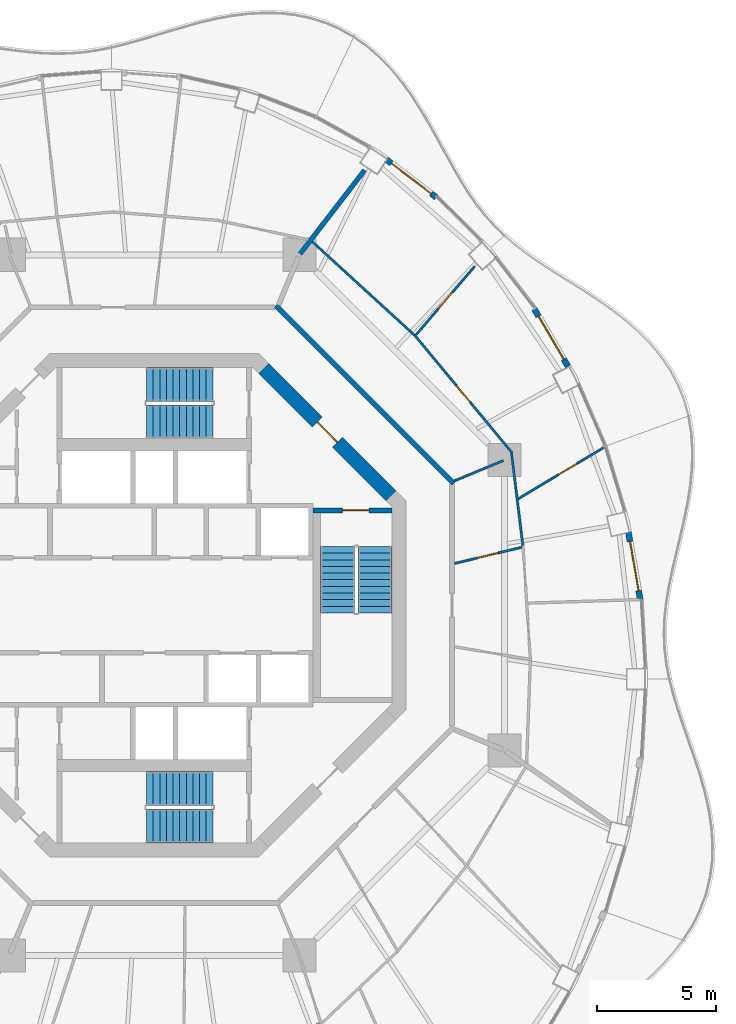
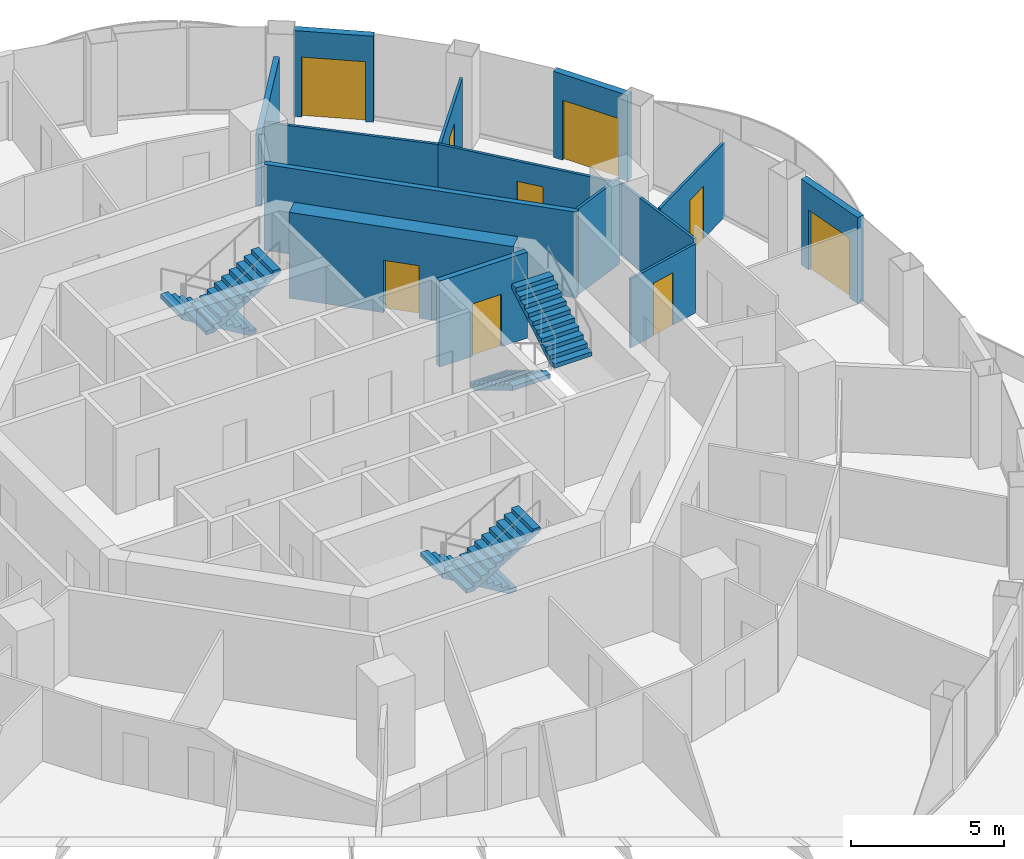
# One storey, part 14 of 17: 14 walls, 9 doors, 6 stair flights, 9 openings, 3 elements without a shape of their own.
"""IFC4 building model written with IfcOpenShell, lengths in metres."""

from ifc_helpers import new_model, si_unit, direction, frame, frame_2d, origin, place, context, subcontext, project, spatial, polyline, rectangle, outline, extrude, material, layer, layer_set, type_object, element, fill, aggregate, save


model = new_model("IFC4")

# Units and contexts
model_context = context("Model", 3, precision=1e-05, world=origin(), true_north=direction((0.0, 1.0)))
body_context = subcontext(model_context, "Body", "Model", "MODEL_VIEW")
ifc_project = project(units=[si_unit("LENGTHUNIT", "METRE"), si_unit("AREAUNIT", "SQUARE_METRE"), si_unit("VOLUMEUNIT", "CUBIC_METRE"), si_unit("PLANEANGLEUNIT", "RADIAN"), si_unit("MASSUNIT", "GRAM", prefix="KILO")], contexts=[model_context])

# Site, building, storey
site_placement = place(None, origin())
site = spatial("IfcSite", under=ifc_project, at=site_placement, CompositionType="ELEMENT")
building_placement = place(site_placement, origin())
building = spatial("IfcBuilding", under=site, at=building_placement, Name="Nagisa Residences", CompositionType="ELEMENT")
storey_placement = place(building_placement, frame((0.0, 0.0, 265.89990234375)))
storey = spatial("IfcBuildingStorey", under=building, at=storey_placement, Name="L67", CompositionType="ELEMENT", Elevation=265.89990234375)

# Walls
ifc_material_1 = material(Name="Gypsum board on steel studs", Category="steel")
ifc_layer_1 = layer(ifc_material_1, 0.199951171875)
ifc_layer_set_1 = layer_set([ifc_layer_1], Name="Apartment compartment wall EI60 200")
wall_type_1 = type_object("IfcWallType", Name="Apartment compartment wall EI60 200", PredefinedType="PARTITIONING", material=ifc_layer_set_1)
wall_1_placement = place(storey_placement, frame((6.153564453125, 14.821533203125, 0.0), z_axis=(0.0, 0.0, 1.0), x_axis=(0.610687612043, 0.791871606068, 0.0)))
element("IfcWall", 1, at=wall_1_placement, inside=storey, type_object=wall_type_1, Name="wall:L67:u01", PredefinedType="PARTITIONING", context=body_context, shape_type="SweptSolid", body=[
    extrude(rectangle(XDim=4.454833984375, YDim=0.199951171875, at=frame_2d((2.2275390625, 0.0))), origin(), (0.0, 0.0, 1.0), 2.905029296875),
])
ifc_material_2 = material(Name="Gypsum board on steel studs", Category="steel")
ifc_layer_2 = layer(ifc_material_2, 0.199951171875)
ifc_layer_set_2 = layer_set([ifc_layer_2], Name="Apartment entry wall EI60 200")
wall_type_2 = type_object("IfcWallType", Name="Apartment entry wall EI60 200", PredefinedType="PARTITIONING", material=ifc_layer_set_2)
wall_2_placement = place(storey_placement, frame((12.635498046875, 5.1337890625, 0.0), z_axis=(0.0, 0.0, 1.0), x_axis=(-0.707106781187, 0.707106781187, 0.0)))
element("IfcWall", 2, at=wall_2_placement, inside=storey, type_object=wall_type_2, Name="wall:L67:u09", PredefinedType="PARTITIONING", context=body_context, shape_type="SweptSolid", body=[
    extrude(rectangle(XDim=10.609130859375, YDim=0.199951171875, at=frame_2d((5.3046875, 0.0))), origin(), (0.0, 0.0, 1.0), 3.440185546875),
])

# Wall, opening, door
ifc_material_3 = material(Name="Gypsum board on steel studs", Category="steel")
ifc_layer_3 = layer(ifc_material_3, 0.10009765625)
ifc_layer_set_3 = layer_set([ifc_layer_3], Name="Apartment partition 100")
wall_type_3 = type_object("IfcWallType", Name="Apartment partition 100", PredefinedType="PARTITIONING", material=ifc_layer_set_3)
wall_3_placement = place(storey_placement, frame((12.661865234375, 1.75830078125, 0.0), z_axis=(0.0, 0.0, 1.0), x_axis=(0.972004827836, 0.234960879007, 0.0)))
wall_3 = element("IfcWall", 3, at=wall_3_placement, inside=storey, type_object=wall_type_3, Name="wall:L67:u20", PredefinedType="PARTITIONING", context=body_context, shape_type="SweptSolid", body=[
    extrude(rectangle(XDim=2.93017578125, YDim=0.10009765625, at=frame_2d((1.465087890625, 0.0))), origin(), (0.0, 0.0, 1.0), 2.76220703125),
])
opening_1_placement = place(wall_3_placement, frame((1.014892578125, 0.0, 0.0)))
opening_1 = element("IfcOpeningElement", 4, at=opening_1_placement, cuts=wall_3, Name="Opening L67-U03", PredefinedType="OPENING", context=body_context, shape_type="SweptSolid", body=[
    extrude(rectangle(XDim=0.89990234375, YDim=2.10009765625, at=frame_2d((0.449951171875, 1.050048828125))), frame((0.0, 0.06005859375, 0.0), z_axis=(0.0, -1.0, 0.0), x_axis=(1.0, 0.0, 0.0)), (0.0, 0.0, 1.0), 0.1201171875),
])
ifc_material_4 = material(Name="Timber door set", Category="wood")
door_type_1 = type_object("IfcDoorType", Name="Apartment door 900x2100", OperationType="NOTDEFINED", PredefinedType="DOOR", material=ifc_material_4)
door_1_placement = place(opening_1_placement, origin())
door_1 = element("IfcDoor", 5, at=door_1_placement, inside=storey, type_object=door_type_1, Name="Door to family bathroom, Apartment 67A", OperationType="SINGLE_SWING_LEFT", OverallHeight=2.10009765625, OverallWidth=0.89990234375, PredefinedType="DOOR", context=body_context, shape_type="SweptSolid", body=[
    extrude(rectangle(XDim=0.89990234375, YDim=2.10009765625, at=frame_2d((0.449951171875, 1.050048828125))), frame((0.0, 0.02490234375, 0.0), z_axis=(0.0, -1.0, 0.0), x_axis=(1.0, 0.0, 0.0)), (0.0, 0.0, 1.0), 0.050048828125),
])
fill(opening_1, door_1)

# Wall
wall_4_placement = place(storey_placement, frame((15.552490234375, 2.50830078125, 0.0), z_axis=(0.0, 0.0, 1.0), x_axis=(-0.12196631785, 0.992534239868, 0.0)))
element("IfcWall", 6, at=wall_4_placement, inside=storey, type_object=wall_type_3, Name="wall:L67:u21", PredefinedType="PARTITIONING", context=body_context, shape_type="SweptSolid", body=[
    extrude(rectangle(XDim=3.937255859375, YDim=0.10009765625, at=frame_2d((1.96875, 0.0))), origin(), (0.0, 0.0, 1.0), 2.905029296875),
])

# Wall, opening, door
wall_5_placement = place(storey_placement, frame((15.355224609375, 4.488037109375, 0.0), z_axis=(0.0, 0.0, 1.0), x_axis=(0.85763237524, 0.514263268123, 0.0)))
wall_5 = element("IfcWall", 7, at=wall_5_placement, inside=storey, type_object=wall_type_3, Name="wall:L67:u22", PredefinedType="PARTITIONING", context=body_context, shape_type="SweptSolid", body=[
    extrude(rectangle(XDim=4.324462890625, YDim=0.10009765625, at=frame_2d((2.162109375, 0.0))), origin(), (0.0, 0.0, 1.0), 2.983154296875),
])
opening_2_placement = place(wall_5_placement, frame((1.984619140625, 0.0, 0.0)))
opening_2 = element("IfcOpeningElement", 8, at=opening_2_placement, cuts=wall_5, Name="Opening L67-U06", PredefinedType="OPENING", context=body_context, shape_type="SweptSolid", body=[
    extrude(rectangle(XDim=0.89990234375, YDim=2.10009765625, at=frame_2d((0.449951171875, 1.050048828125))), frame((0.0, 0.06005859375, 0.0), z_axis=(0.0, -1.0, 0.0), x_axis=(1.0, 0.0, 0.0)), (0.0, 0.0, 1.0), 0.1201171875),
])
door_2_placement = place(opening_2_placement, origin())
door_2 = element("IfcDoor", 9, at=door_2_placement, inside=storey, type_object=door_type_1, Name="Door to kitchen, Apartment 67A", OperationType="SINGLE_SWING_RIGHT", OverallHeight=2.10009765625, OverallWidth=0.89990234375, PredefinedType="DOOR", context=body_context, shape_type="SweptSolid", body=[
    extrude(rectangle(XDim=0.89990234375, YDim=2.10009765625, at=frame_2d((0.449951171875, 1.050048828125))), frame((0.0, 0.02490234375, 0.0), z_axis=(0.0, -1.0, 0.0), x_axis=(1.0, 0.0, 0.0)), (0.0, 0.0, 1.0), 0.050048828125),
])
fill(opening_2, door_2)

# Wall
wall_6_placement = place(storey_placement, frame((12.6572265625, 5.24267578125, 0.0), z_axis=(0.0, 0.0, 1.0), x_axis=(0.923864733477, 0.382719158442, 0.0)))
element("IfcWall", 10, at=wall_6_placement, inside=storey, type_object=wall_type_3, Name="wall:L67:u23", PredefinedType="PARTITIONING", context=body_context, shape_type="SweptSolid", body=[
    extrude(rectangle(XDim=2.25, YDim=0.10009765625, at=frame_2d((1.125, 0.0))), origin(), (0.0, 0.0, 1.0), 3.440185546875),
])

# Wall, opening, door
wall_7_placement = place(storey_placement, frame((15.09814453125, 6.427490234375, 0.0), z_axis=(0.0, 0.0, 1.0), x_axis=(-0.637936555536, 0.770088924158, 0.0)))
wall_7 = element("IfcWall", 11, at=wall_7_placement, inside=storey, type_object=wall_type_3, Name="wall:L67:u24", PredefinedType="PARTITIONING", context=body_context, shape_type="SweptSolid", body=[
    extrude(rectangle(XDim=6.46044921875, YDim=0.10009765625, at=frame_2d((3.230224609375, 0.0))), origin(), (0.0, 0.0, 1.0), 2.905029296875),
])
opening_3_placement = place(wall_7_placement, frame((2.7802734375, 0.0, 0.0)))
opening_3 = element("IfcOpeningElement", 12, at=opening_3_placement, cuts=wall_7, Name="Opening L67-U08", PredefinedType="OPENING", context=body_context, shape_type="SweptSolid", body=[
    extrude(rectangle(XDim=0.89990234375, YDim=2.10009765625, at=frame_2d((0.449951171875, 1.050048828125))), frame((0.0, 0.06005859375, 0.0), z_axis=(0.0, -1.0, 0.0), x_axis=(1.0, 0.0, 0.0)), (0.0, 0.0, 1.0), 0.1201171875),
])
door_3_placement = place(opening_3_placement, origin())
door_3 = element("IfcDoor", 13, at=door_3_placement, inside=storey, type_object=door_type_1, Name="Door to store, Apartment 67A", OperationType="SINGLE_SWING_RIGHT", OverallHeight=2.10009765625, OverallWidth=0.89990234375, PredefinedType="DOOR", context=body_context, shape_type="SweptSolid", body=[
    extrude(rectangle(XDim=0.89990234375, YDim=2.10009765625, at=frame_2d((0.449951171875, 1.050048828125))), frame((0.0, 0.02490234375, 0.0), z_axis=(0.0, -1.0, 0.0), x_axis=(1.0, 0.0, 0.0)), (0.0, 0.0, 1.0), 0.050048828125),
])
fill(opening_3, door_3)

wall_8_placement = place(storey_placement, frame((11.041259765625, 11.402099609375, 0.0), z_axis=(0.0, 0.0, 1.0), x_axis=(0.650558544325, 0.759456108282, 0.0)))
wall_8 = element("IfcWall", 14, at=wall_8_placement, inside=storey, type_object=wall_type_3, Name="wall:L67:u25", PredefinedType="PARTITIONING", context=body_context, shape_type="SweptSolid", body=[
    extrude(rectangle(XDim=3.800048828125, YDim=0.10009765625, at=frame_2d((1.89990234375, 0.0))), origin(), (0.0, 0.0, 1.0), 2.905029296875),
])
opening_4_placement = place(wall_8_placement, frame((1.4501953125, 0.0, 0.0)))
opening_4 = element("IfcOpeningElement", 15, at=opening_4_placement, cuts=wall_8, Name="Opening L67-U07", PredefinedType="OPENING", context=body_context, shape_type="SweptSolid", body=[
    extrude(rectangle(XDim=0.89990234375, YDim=2.10009765625, at=frame_2d((0.449951171875, 1.050048828125))), frame((0.0, 0.06005859375, 0.0), z_axis=(0.0, -1.0, 0.0), x_axis=(1.0, 0.0, 0.0)), (0.0, 0.0, 1.0), 0.1201171875),
])
door_4_placement = place(opening_4_placement, origin())
door_4 = element("IfcDoor", 16, at=door_4_placement, inside=storey, type_object=door_type_1, Name="Door to bedroom, Apartment 67A", OperationType="SINGLE_SWING_LEFT", OverallHeight=2.10009765625, OverallWidth=0.89990234375, PredefinedType="DOOR", context=body_context, shape_type="SweptSolid", body=[
    extrude(rectangle(XDim=0.89990234375, YDim=2.10009765625, at=frame_2d((0.449951171875, 1.050048828125))), frame((0.0, 0.02490234375, 0.0), z_axis=(0.0, -1.0, 0.0), x_axis=(1.0, 0.0, 0.0)), (0.0, 0.0, 1.0), 0.050048828125),
])
fill(opening_4, door_4)

# Wall
wall_9_placement = place(storey_placement, frame((10.9716796875, 11.397705078125, 0.0), z_axis=(0.0, 0.0, 1.0), x_axis=(-0.737830272434, 0.674986288069, 0.0)))
element("IfcWall", 17, at=wall_9_placement, inside=storey, type_object=wall_type_3, Name="wall:L67:u26", PredefinedType="PARTITIONING", context=body_context, shape_type="SweptSolid", body=[
    extrude(rectangle(XDim=5.827392578125, YDim=0.10009765625, at=frame_2d((2.91357421875, 0.0))), origin(), (0.0, 0.0, 1.0), 2.905029296875),
])

# Wall, opening, door
ifc_material_5 = material(Name="Precast concrete C40/50", Category="concrete")
ifc_layer_4 = layer(ifc_material_5, 0.25)
ifc_layer_set_4 = layer_set([ifc_layer_4], Name="BALCONY DOOR WALL 250")
wall_type_4 = type_object("IfcWallType", Name="BALCONY DOOR WALL 250", PredefinedType="SOLIDWALL", material=ifc_layer_set_4)
wall_10_placement = place(storey_placement, frame((20.003662109375, 3.07958984375, 0.0), z_axis=(0.0, 0.0, 1.0), x_axis=(0.172182411767, -0.985065082661, 0.0)))
wall_10 = element("IfcWall", 18, at=wall_10_placement, inside=storey, type_object=wall_type_4, Name="wall:L67:bay01", PredefinedType="SOLIDWALL", context=body_context, shape_type="SweptSolid", body=[
    extrude(rectangle(XDim=2.902587890625, YDim=0.25, at=frame_2d((1.451171875, 0.0))), origin(), (0.0, 0.0, 1.0), 3.440185546875),
])
opening_5_placement = place(wall_10_placement, frame((0.401123046875, 0.0, 0.0)))
opening_5 = element("IfcOpeningElement", 19, at=opening_5_placement, cuts=wall_10, Name="Opening BD-L67-01", PredefinedType="OPENING", context=body_context, shape_type="SweptSolid", body=[
    extrude(rectangle(XDim=2.10009765625, YDim=2.39990234375, at=frame_2d((1.050048828125, 1.199951171875))), frame((0.0, 0.135009765625, 0.0), z_axis=(0.0, -1.0, 0.0), x_axis=(1.0, 0.0, 0.0)), (0.0, 0.0, 1.0), 0.27001953125),
])
ifc_material_6 = material(Name="Aluminium and clear glass", Category="aluminium")
door_type_2 = type_object("IfcDoorType", Name="BALCONY SLIDING DOOR 2100x2400", OperationType="SLIDING_TO_LEFT", PredefinedType="DOOR", material=ifc_material_6)
door_5_placement = place(opening_5_placement, origin())
door_5 = element("IfcDoor", 20, at=door_5_placement, inside=storey, type_object=door_type_2, Name="door:L67:bay01", OperationType="SLIDING_TO_LEFT", OverallHeight=2.39990234375, OverallWidth=2.10009765625, PredefinedType="DOOR", context=body_context, shape_type="SweptSolid", body=[
    extrude(rectangle(XDim=2.10009765625, YDim=2.39990234375, at=frame_2d((1.050048828125, 1.199951171875))), frame((0.0, 0.02490234375, 0.0), z_axis=(0.0, -1.0, 0.0), x_axis=(1.0, 0.0, 0.0)), (0.0, 0.0, 1.0), 0.050048828125),
])
fill(opening_5, door_5)

wall_11_placement = place(storey_placement, frame((16.037841796875, 12.488525390625, 0.0), z_axis=(0.0, 0.0, 1.0), x_axis=(0.506371364425, -0.862315511452, 0.0)))
wall_11 = element("IfcWall", 21, at=wall_11_placement, inside=storey, type_object=wall_type_4, Name="wall:L67:bay04", PredefinedType="SOLIDWALL", context=body_context, shape_type="SweptSolid", body=[
    extrude(rectangle(XDim=2.79638671875, YDim=0.25, at=frame_2d((1.398193359375, 0.0))), origin(), (0.0, 0.0, 1.0), 3.440185546875),
])
opening_6_placement = place(wall_11_placement, frame((0.34814453125, 0.0, 0.0)))
opening_6 = element("IfcOpeningElement", 22, at=opening_6_placement, cuts=wall_11, Name="Opening BD-L67-02", PredefinedType="OPENING", context=body_context, shape_type="SweptSolid", body=[
    extrude(rectangle(XDim=2.10009765625, YDim=2.39990234375, at=frame_2d((1.050048828125, 1.199951171875))), frame((0.0, 0.135009765625, 0.0), z_axis=(0.0, -1.0, 0.0), x_axis=(1.0, 0.0, 0.0)), (0.0, 0.0, 1.0), 0.27001953125),
])
door_6_placement = place(opening_6_placement, origin())
door_6 = element("IfcDoor", 23, at=door_6_placement, inside=storey, type_object=door_type_2, Name="door:L67:bay04", OperationType="SLIDING_TO_LEFT", OverallHeight=2.39990234375, OverallWidth=2.10009765625, PredefinedType="DOOR", context=body_context, shape_type="SweptSolid", body=[
    extrude(rectangle(XDim=2.10009765625, YDim=2.39990234375, at=frame_2d((1.050048828125, 1.199951171875))), frame((0.0, 0.02490234375, 0.0), z_axis=(0.0, -1.0, 0.0), x_axis=(1.0, 0.0, 0.0)), (0.0, 0.0, 1.0), 0.050048828125),
])
fill(opening_6, door_6)

wall_12_placement = place(storey_placement, frame((9.79248046875, 18.802001953125, 0.0), z_axis=(0.0, 0.0, 1.0), x_axis=(0.796010739377, -0.605282498339, 0.0)))
wall_12 = element("IfcWall", 24, at=wall_12_placement, inside=storey, type_object=wall_type_4, Name="wall:L67:bay07", PredefinedType="SOLIDWALL", context=body_context, shape_type="SweptSolid", body=[
    extrude(rectangle(XDim=2.640625, YDim=0.25, at=frame_2d((1.3203125, 0.0))), origin(), (0.0, 0.0, 1.0), 3.440185546875),
])
opening_7_placement = place(wall_12_placement, frame((0.270263671875, 0.0, 0.0)))
opening_7 = element("IfcOpeningElement", 25, at=opening_7_placement, cuts=wall_12, Name="Opening BD-L67-03", PredefinedType="OPENING", context=body_context, shape_type="SweptSolid", body=[
    extrude(rectangle(XDim=2.10009765625, YDim=2.39990234375, at=frame_2d((1.050048828125, 1.199951171875))), frame((0.0, 0.135009765625, 0.0), z_axis=(0.0, -1.0, 0.0), x_axis=(1.0, 0.0, 0.0)), (0.0, 0.0, 1.0), 0.27001953125),
])
door_7_placement = place(opening_7_placement, origin())
door_7 = element("IfcDoor", 26, at=door_7_placement, inside=storey, type_object=door_type_2, Name="door:L67:bay07", OperationType="SLIDING_TO_LEFT", OverallHeight=2.39990234375, OverallWidth=2.10009765625, PredefinedType="DOOR", context=body_context, shape_type="SweptSolid", body=[
    extrude(rectangle(XDim=2.10009765625, YDim=2.39990234375, at=frame_2d((1.050048828125, 1.199951171875))), frame((0.0, 0.02490234375, 0.0), z_axis=(0.0, -1.0, 0.0), x_axis=(1.0, 0.0, 0.0)), (0.0, 0.0, 1.0), 0.050048828125),
])
fill(opening_7, door_7)

ifc_material_7 = material(Name="Concrete C60", Category="concrete")
ifc_layer_5 = layer(ifc_material_7, 0.60009765625)
ifc_layer_set_5 = layer_set([ifc_layer_5], Name="Core shear wall 600")
wall_type_5 = type_object("IfcWallType", Name="Core shear wall 600", PredefinedType="SHEAR", material=ifc_layer_set_5)
wall_13_placement = place(storey_placement, frame((9.98828125, 4.613037109375, 0.0), z_axis=(0.0, 0.0, 1.0), x_axis=(-0.707106781187, 0.707106781187, 0.0)))
wall_13 = element("IfcWall", 27, at=wall_13_placement, inside=storey, type_object=wall_type_5, Name="wall:L67:core:flat1", PredefinedType="SHEAR", context=body_context, shape_type="SweptSolid", body=[
    extrude(rectangle(XDim=7.601806640625, YDim=0.60009765625, at=frame_2d((3.80078125, 0.0))), origin(), (0.0, 0.0, 1.0), 3.440185546875),
])
opening_8_placement = place(wall_13_placement, frame((3.200927734375, 0.0, 0.0)))
opening_8 = element("IfcOpeningElement", 28, at=opening_8_placement, cuts=wall_13, Name="Opening L67-C21", PredefinedType="OPENING", context=body_context, shape_type="SweptSolid", body=[
    extrude(rectangle(XDim=1.199951171875, YDim=2.10009765625, at=frame_2d((0.60009765625, 1.050048828125))), frame((0.0, 0.31005859375, 0.0), z_axis=(0.0, -1.0, 0.0), x_axis=(1.0, 0.0, 0.0)), (0.0, 0.0, 1.0), 0.6201171875),
])
ifc_material_8 = material(Name="Steel fire door", Category="steel")
door_type_3 = type_object("IfcDoorType", Name="Fire door EI60 1200x2100 single swing", OperationType="NOTDEFINED", PredefinedType="DOOR", material=ifc_material_8)
door_8_placement = place(opening_8_placement, origin())
door_8 = element("IfcDoor", 29, at=door_8_placement, inside=storey, type_object=door_type_3, Name="Firefighting lobby 1 door L67", OperationType="SINGLE_SWING_RIGHT", OverallHeight=2.10009765625, OverallWidth=1.199951171875, PredefinedType="DOOR", context=body_context, shape_type="SweptSolid", body=[
    extrude(rectangle(XDim=1.199951171875, YDim=2.10009765625, at=frame_2d((0.60009765625, 1.050048828125))), frame((0.0, 0.02490234375, 0.0), z_axis=(0.0, -1.0, 0.0), x_axis=(1.0, 0.0, 0.0)), (0.0, 0.0, 1.0), 0.050048828125),
])
fill(opening_8, door_8)

ifc_material_9 = material(Name="Concrete C60", Category="concrete")
ifc_layer_6 = layer(ifc_material_9, 0.199951171875)
ifc_layer_set_6 = layer_set([ifc_layer_6], Name="Stair enclosure wall 200")
wall_type_6 = type_object("IfcWallType", Name="Stair enclosure wall 200", PredefinedType="SOLIDWALL", material=ifc_layer_set_6)
wall_14_placement = place(storey_placement, frame((6.699951171875, 4.0, 0.0), z_axis=(0.0, 0.0, 1.0), x_axis=(1.0, 0.0, 0.0)))
wall_14 = element("IfcWall", 30, at=wall_14_placement, inside=storey, type_object=wall_type_6, Name="wall:L67:SE_n", PredefinedType="SOLIDWALL", context=body_context, shape_type="SweptSolid", body=[
    extrude(rectangle(XDim=3.32470703125, YDim=0.199951171875, at=frame_2d((1.662353515625, 0.0))), origin(), (0.0, 0.0, 1.0), 3.440185546875),
])
opening_9_placement = place(wall_14_placement, frame((1.25, 0.0, 0.0)))
opening_9 = element("IfcOpeningElement", 31, at=opening_9_placement, cuts=wall_14, Name="Opening L67-C07", PredefinedType="OPENING", context=body_context, shape_type="SweptSolid", body=[
    extrude(rectangle(XDim=1.10009765625, YDim=2.10009765625, at=frame_2d((0.550048828125, 1.050048828125))), frame((0.0, 0.10986328125, 0.0), z_axis=(0.0, -1.0, 0.0), x_axis=(1.0, 0.0, 0.0)), (0.0, 0.0, 1.0), 0.219970703125),
])
ifc_material_10 = material(Name="Steel fire door", Category="steel")
door_type_4 = type_object("IfcDoorType", Name="Fire door EI90 1100x2100 single swing", OperationType="NOTDEFINED", PredefinedType="DOOR", material=ifc_material_10)
door_9_placement = place(opening_9_placement, frame((1.10009765625, 0.0, 0.0), x_axis=(-1.0, 0.0, 0.0)))
door_9 = element("IfcDoor", 32, at=door_9_placement, inside=storey, type_object=door_type_4, Name="Stair door ST-E L67", OperationType="SINGLE_SWING_RIGHT", OverallHeight=2.10009765625, OverallWidth=1.10009765625, PredefinedType="DOOR", context=body_context, shape_type="SweptSolid", body=[
    extrude(rectangle(XDim=1.10009765625, YDim=2.10009765625, at=frame_2d((0.550048828125, 1.050048828125))), frame((0.0, 0.02490234375, 0.0), z_axis=(0.0, -1.0, 0.0), x_axis=(1.0, 0.0, 0.0)), (0.0, 0.0, 1.0), 0.050048828125),
])
fill(opening_9, door_9)

# Stair, stair flights
ifc_material_11 = material(Name="Concrete C60", Category="concrete")
stair_type = type_object("IfcStairType", Name="Exit stair", PredefinedType="HALF_TURN_STAIR", material=ifc_material_11)
stair_1_placement = place(storey_placement, origin())
stair_1 = element("IfcStair", 33, at=stair_1_placement, inside=storey, type_object=stair_type, Name="L67 Exit stair E", PredefinedType="HALF_TURN_STAIR")
ifc_material_12 = material(Name="Concrete C60", Category="concrete")
stair_flight_type = type_object("IfcStairFlightType", Name="Exit stair flight", PredefinedType="STRAIGHT", material=ifc_material_12)
stair_flight_1_placement = place(storey_placement, frame((7.737060546875, 2.47509765625, 0.0), z_axis=(0.0, 0.0, 1.0), x_axis=(0.0, -1.0, 0.0)))
stair_flight_1 = element("IfcStairFlight", 34, at=stair_flight_1_placement, type_object=stair_flight_type, Name="ST-E flight 1", NumberOfRisers=11, NumberOfTreads=10, PredefinedType="STRAIGHT", RiserHeight=0.168181818, TreadLength=0.28, context=body_context, shape_type="SweptSolid", body=[
    extrude(outline(polyline([(0.0, 0.0), (0.0, 0.168212890625), (0.280029296875, 0.168212890625), (0.280029296875, 0.33642578125), (0.56005859375, 0.33642578125), (0.56005859375, 0.504638671875), (0.840087890625, 0.504638671875), (0.840087890625, 0.672607421875), (1.1201171875, 0.672607421875), (1.1201171875, 0.8408203125), (1.39990234375, 0.8408203125), (1.39990234375, 1.009033203125), (1.679931640625, 1.009033203125), (1.679931640625, 1.17724609375), (1.9599609375, 1.17724609375), (1.9599609375, 1.345458984375), (2.239990234375, 1.345458984375), (2.239990234375, 1.513671875), (2.52001953125, 1.513671875), (2.52001953125, 1.681884765625), (2.800048828125, 1.681884765625), (2.800048828125, 1.85009765625), (2.800048828125, 1.5068359375), (0.291015625, 0.0), (0.0, 0.0)])), frame((0.0, 0.71240234375, 0.0), z_axis=(0.0, -1.0, 0.0), x_axis=(1.0, 0.0, 0.0)), (0.0, 0.0, 1.0), 1.425048828125),
])
stair_flight_2_placement = place(storey_placement, frame((9.31201171875, -0.324951171875, 1.85009765625), z_axis=(0.0, 0.0, 1.0), x_axis=(0.0, 1.0, 0.0)))
stair_flight_2 = element("IfcStairFlight", 35, at=stair_flight_2_placement, type_object=stair_flight_type, Name="ST-E flight 2", NumberOfRisers=11, NumberOfTreads=10, PredefinedType="STRAIGHT", RiserHeight=0.168181818, TreadLength=0.28, context=body_context, shape_type="SweptSolid", body=[
    extrude(outline(polyline([(0.0, 0.0), (0.0, 0.168212890625), (0.280029296875, 0.168212890625), (0.280029296875, 0.33642578125), (0.56005859375, 0.33642578125), (0.56005859375, 0.504638671875), (0.840087890625, 0.504638671875), (0.840087890625, 0.672607421875), (1.1201171875, 0.672607421875), (1.1201171875, 0.8408203125), (1.39990234375, 0.8408203125), (1.39990234375, 1.009033203125), (1.679931640625, 1.009033203125), (1.679931640625, 1.17724609375), (1.9599609375, 1.17724609375), (1.9599609375, 1.345458984375), (2.239990234375, 1.345458984375), (2.239990234375, 1.513671875), (2.52001953125, 1.513671875), (2.52001953125, 1.681884765625), (2.800048828125, 1.681884765625), (2.800048828125, 1.85009765625), (2.800048828125, 1.5068359375), (0.291015625, 0.0), (0.0, 0.0)])), frame((0.0, 0.71240234375, 0.0), z_axis=(0.0, -1.0, 0.0), x_axis=(1.0, 0.0, 0.0)), (0.0, 0.0, 1.0), 1.425048828125),
])
aggregate(stair_1, [stair_flight_1, stair_flight_2])

stair_2_placement = place(storey_placement, origin())
stair_2 = element("IfcStair", 36, at=stair_2_placement, inside=storey, type_object=stair_type, Name="L67 Exit stair N", PredefinedType="HALF_TURN_STAIR")
stair_flight_3_placement = place(storey_placement, frame((2.47509765625, 9.31201171875, 0.0), z_axis=(0.0, 0.0, 1.0), x_axis=(-1.0, 0.0, 0.0)))
stair_flight_3 = element("IfcStairFlight", 37, at=stair_flight_3_placement, type_object=stair_flight_type, Name="ST-N flight 1", NumberOfRisers=11, NumberOfTreads=10, PredefinedType="STRAIGHT", RiserHeight=0.168181818, TreadLength=0.28, context=body_context, shape_type="SweptSolid", body=[
    extrude(outline(polyline([(0.0, 0.0), (0.0, 0.168212890625), (0.280029296875, 0.168212890625), (0.280029296875, 0.33642578125), (0.56005859375, 0.33642578125), (0.56005859375, 0.504638671875), (0.840087890625, 0.504638671875), (0.840087890625, 0.672607421875), (1.1201171875, 0.672607421875), (1.1201171875, 0.8408203125), (1.39990234375, 0.8408203125), (1.39990234375, 1.009033203125), (1.679931640625, 1.009033203125), (1.679931640625, 1.17724609375), (1.9599609375, 1.17724609375), (1.9599609375, 1.345458984375), (2.239990234375, 1.345458984375), (2.239990234375, 1.513671875), (2.52001953125, 1.513671875), (2.52001953125, 1.681884765625), (2.800048828125, 1.681884765625), (2.800048828125, 1.85009765625), (2.800048828125, 1.5068359375), (0.291015625, 0.0), (0.0, 0.0)])), frame((0.0, 0.71240234375, 0.0), z_axis=(0.0, -1.0, 0.0), x_axis=(1.0, 0.0, 0.0)), (0.0, 0.0, 1.0), 1.425048828125),
])
stair_flight_4_placement = place(storey_placement, frame((-0.324951171875, 7.737060546875, 1.85009765625), z_axis=(0.0, 0.0, 1.0), x_axis=(1.0, 0.0, 0.0)))
stair_flight_4 = element("IfcStairFlight", 38, at=stair_flight_4_placement, type_object=stair_flight_type, Name="ST-N flight 2", NumberOfRisers=11, NumberOfTreads=10, PredefinedType="STRAIGHT", RiserHeight=0.168181818, TreadLength=0.28, context=body_context, shape_type="SweptSolid", body=[
    extrude(outline(polyline([(0.0, 0.0), (0.0, 0.168212890625), (0.280029296875, 0.168212890625), (0.280029296875, 0.33642578125), (0.56005859375, 0.33642578125), (0.56005859375, 0.504638671875), (0.840087890625, 0.504638671875), (0.840087890625, 0.672607421875), (1.1201171875, 0.672607421875), (1.1201171875, 0.8408203125), (1.39990234375, 0.8408203125), (1.39990234375, 1.009033203125), (1.679931640625, 1.009033203125), (1.679931640625, 1.17724609375), (1.9599609375, 1.17724609375), (1.9599609375, 1.345458984375), (2.239990234375, 1.345458984375), (2.239990234375, 1.513671875), (2.52001953125, 1.513671875), (2.52001953125, 1.681884765625), (2.800048828125, 1.681884765625), (2.800048828125, 1.85009765625), (2.800048828125, 1.5068359375), (0.291015625, 0.0), (0.0, 0.0)])), frame((0.0, 0.71240234375, 0.0), z_axis=(0.0, -1.0, 0.0), x_axis=(1.0, 0.0, 0.0)), (0.0, 0.0, 1.0), 1.425048828125),
])
aggregate(stair_2, [stair_flight_3, stair_flight_4])

stair_3_placement = place(storey_placement, origin())
stair_3 = element("IfcStair", 39, at=stair_3_placement, inside=storey, type_object=stair_type, Name="L67 Exit stair S", PredefinedType="HALF_TURN_STAIR")
stair_flight_5_placement = place(storey_placement, frame((2.47509765625, -7.737060546875, 0.0), z_axis=(0.0, 0.0, 1.0), x_axis=(-1.0, 0.0, 0.0)))
stair_flight_5 = element("IfcStairFlight", 40, at=stair_flight_5_placement, type_object=stair_flight_type, Name="ST-S flight 1", NumberOfRisers=11, NumberOfTreads=10, PredefinedType="STRAIGHT", RiserHeight=0.168181818, TreadLength=0.28, context=body_context, shape_type="SweptSolid", body=[
    extrude(outline(polyline([(0.0, 0.0), (0.0, 0.168212890625), (0.280029296875, 0.168212890625), (0.280029296875, 0.33642578125), (0.56005859375, 0.33642578125), (0.56005859375, 0.504638671875), (0.840087890625, 0.504638671875), (0.840087890625, 0.672607421875), (1.1201171875, 0.672607421875), (1.1201171875, 0.8408203125), (1.39990234375, 0.8408203125), (1.39990234375, 1.009033203125), (1.679931640625, 1.009033203125), (1.679931640625, 1.17724609375), (1.9599609375, 1.17724609375), (1.9599609375, 1.345458984375), (2.239990234375, 1.345458984375), (2.239990234375, 1.513671875), (2.52001953125, 1.513671875), (2.52001953125, 1.681884765625), (2.800048828125, 1.681884765625), (2.800048828125, 1.85009765625), (2.800048828125, 1.5068359375), (0.291015625, 0.0), (0.0, 0.0)])), frame((0.0, 0.71240234375, 0.0), z_axis=(0.0, -1.0, 0.0), x_axis=(1.0, 0.0, 0.0)), (0.0, 0.0, 1.0), 1.425048828125),
])
stair_flight_6_placement = place(storey_placement, frame((-0.324951171875, -9.31201171875, 1.85009765625), z_axis=(0.0, 0.0, 1.0), x_axis=(1.0, 0.0, 0.0)))
stair_flight_6 = element("IfcStairFlight", 41, at=stair_flight_6_placement, type_object=stair_flight_type, Name="ST-S flight 2", NumberOfRisers=11, NumberOfTreads=10, PredefinedType="STRAIGHT", RiserHeight=0.168181818, TreadLength=0.28, context=body_context, shape_type="SweptSolid", body=[
    extrude(outline(polyline([(0.0, 0.0), (0.0, 0.168212890625), (0.280029296875, 0.168212890625), (0.280029296875, 0.33642578125), (0.56005859375, 0.33642578125), (0.56005859375, 0.504638671875), (0.840087890625, 0.504638671875), (0.840087890625, 0.672607421875), (1.1201171875, 0.672607421875), (1.1201171875, 0.8408203125), (1.39990234375, 0.8408203125), (1.39990234375, 1.009033203125), (1.679931640625, 1.009033203125), (1.679931640625, 1.17724609375), (1.9599609375, 1.17724609375), (1.9599609375, 1.345458984375), (2.239990234375, 1.345458984375), (2.239990234375, 1.513671875), (2.52001953125, 1.513671875), (2.52001953125, 1.681884765625), (2.800048828125, 1.681884765625), (2.800048828125, 1.85009765625), (2.800048828125, 1.5068359375), (0.291015625, 0.0), (0.0, 0.0)])), frame((0.0, 0.71240234375, 0.0), z_axis=(0.0, -1.0, 0.0), x_axis=(1.0, 0.0, 0.0)), (0.0, 0.0, 1.0), 1.425048828125),
])
aggregate(stair_3, [stair_flight_5, stair_flight_6])

save(model, "model.ifc")
